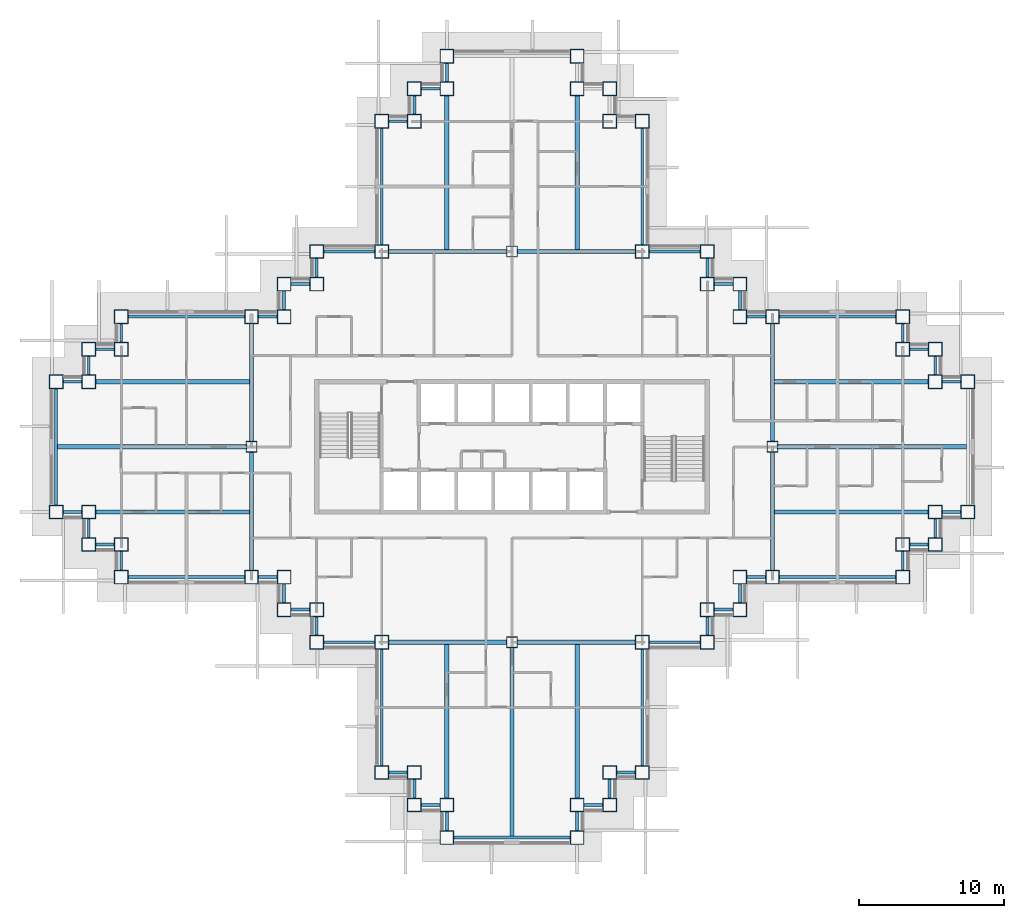
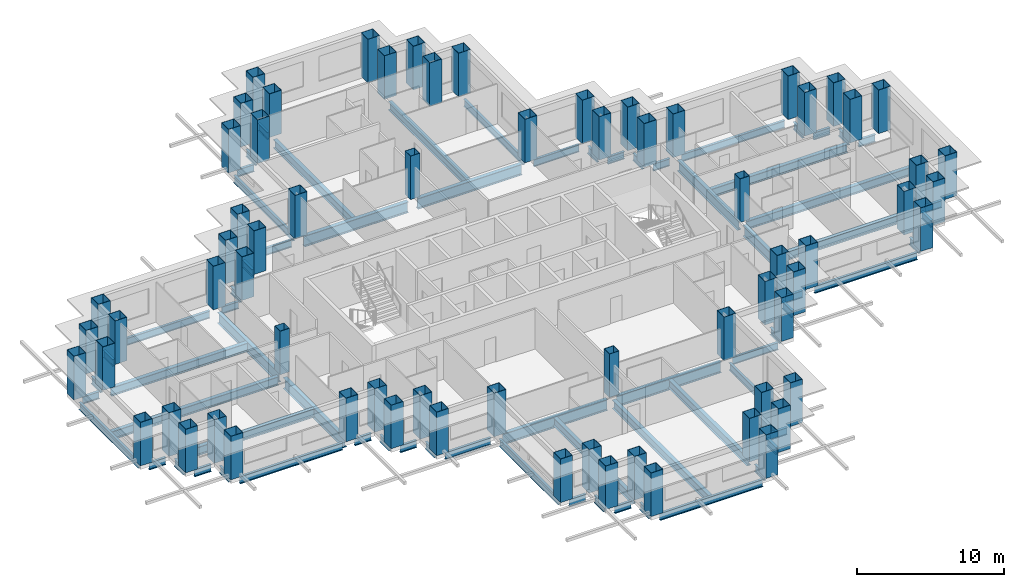
# One storey, part 1 of 15: 77 beams, 68 columns.
"""IFC4 building model written with IfcOpenShell, lengths in metres."""

from ifc_helpers import new_model, si_unit, direction, frame, origin, origin_2d, place, context, subcontext, project, spatial, hollow_rectangle, i_section, extrude, material, material_profile, profile_set, type_object, element, save


model = new_model("IFC4")

# Units and contexts
model_context = context("Model", 3, precision=1e-05, world=origin(), true_north=direction((0.0, 1.0)))
body_context = subcontext(model_context, "Body", "Model", "MODEL_VIEW")
ifc_project = project(units=[si_unit("LENGTHUNIT", "METRE"), si_unit("AREAUNIT", "SQUARE_METRE"), si_unit("VOLUMEUNIT", "CUBIC_METRE"), si_unit("PLANEANGLEUNIT", "RADIAN"), si_unit("MASSUNIT", "GRAM", prefix="KILO")], contexts=[model_context])

# Site, building, storey
site_placement = place(None, origin())
site = spatial("IfcSite", under=ifc_project, at=site_placement, CompositionType="ELEMENT")
building_placement = place(site_placement, origin())
building = spatial("IfcBuilding", under=site, at=building_placement, Name="Caravel Reach Hotel and Residences", CompositionType="ELEMENT")
storey_placement = place(building_placement, frame((0.0, 0.0, 81.60009765625)))
storey = spatial("IfcBuildingStorey", under=building, at=storey_placement, Name="L19", CompositionType="ELEMENT", Elevation=81.60009765625)

# Columns
ifc_material_1 = material(Name="Concrete-filled steel tube Q390B with Concrete C70 infill", Category="concrete")
ifc_material_profile_1 = material_profile(ifc_material_1, hollow_rectangle(XDim=0.75, YDim=0.75, WallThickness=0.02392578125, at=origin_2d()), Name="RHS 750x750x24")
ifc_profile_set_1 = profile_set([ifc_material_profile_1], Name="Concrete-filled steel tube Q390B with Concrete C70 infill")
column_type_1 = type_object("IfcColumnType", Name="CFT 750x750 Q390B C70", PredefinedType="COLUMN", material=ifc_profile_set_1)
for number, where, z_axis, x_axis, name in (
    (1, (31.5, 40.5, 0.0), (0.0, 0.0, 1.0), (1.0, 0.0, 0.0), "C16 column"),
    (2, (31.5, 13.5, 0.0), (0.0, 0.0, 1.0), (1.0, 0.0, 0.0), "C16 column"),
    (3, (13.5, 27.0, 0.0), (0.0, 0.0, 1.0), (1.0, 0.0, 0.0), "C16 column"),
    (4, (49.5, 27.0, 0.0), (0.0, 0.0, 1.0), (1.0, 0.0, 0.0), "C16 column"),
):
    element("IfcColumn", number, at=place(storey_placement, frame(where, z_axis=z_axis, x_axis=x_axis)), inside=storey, type_object=column_type_1, Name=name, PredefinedType="COLUMN", context=body_context, shape_type="SweptSolid", body=[
        extrude(hollow_rectangle(XDim=0.75, YDim=0.75, WallThickness=0.02392578125, at=origin_2d()), origin(), (0.0, 0.0, 1.0), 3.599853515625),
    ])
ifc_material_2 = material(Name="Concrete-filled steel tube Q390B with Concrete C70 infill", Category="concrete")
ifc_material_profile_2 = material_profile(ifc_material_2, hollow_rectangle(XDim=0.949951171875, YDim=0.949951171875, WallThickness=0.030029296875, at=origin_2d()), Name="RHS 950x950x30")
ifc_profile_set_2 = profile_set([ifc_material_profile_2], Name="Concrete-filled steel tube Q390B with Concrete C70 infill")
column_type_2 = type_object("IfcColumnType", Name="CFT 950x950 Q390B C70", PredefinedType="COLUMN", material=ifc_profile_set_2)
for number, where, z_axis, x_axis, name in (
    (5, (22.5, 4.5, 0.0), (0.0, 0.0, 1.0), (1.0, 0.0, 0.0), "C12 column"),
    (6, (24.75, 4.5, 0.0), (0.0, 0.0, 1.0), (1.0, 0.0, 0.0), "C12 column"),
    (7, (24.75, 2.25, 0.0), (0.0, 0.0, 1.0), (1.0, 0.0, 0.0), "C12 column"),
    (8, (27.0, 2.25, 0.0), (0.0, 0.0, 1.0), (1.0, 0.0, 0.0), "C12 column"),
    (9, (27.0, 0.0, 0.0), (0.0, 0.0, 1.0), (1.0, 0.0, 0.0), "C12 column"),
    (10, (36.0, 0.0, 0.0), (0.0, 0.0, 1.0), (1.0, 0.0, 0.0), "C12 column"),
    (11, (36.0, 2.25, 0.0), (0.0, 0.0, 1.0), (1.0, 0.0, 0.0), "C12 column"),
    (12, (38.25, 2.25, 0.0), (0.0, 0.0, 1.0), (1.0, 0.0, 0.0), "C12 column"),
    (13, (38.25, 4.5, 0.0), (0.0, 0.0, 1.0), (1.0, 0.0, 0.0), "C12 column"),
    (14, (40.5, 4.5, 0.0), (0.0, 0.0, 1.0), (1.0, 0.0, 0.0), "C12 column"),
    (15, (40.5, 13.5, 0.0), (0.0, 0.0, 1.0), (1.0, 0.0, 0.0), "C12 column"),
    (16, (45.0, 13.5, 0.0), (0.0, 0.0, 1.0), (1.0, 0.0, 0.0), "C12 column"),
    (17, (45.0, 15.75, 0.0), (0.0, 0.0, 1.0), (1.0, 0.0, 0.0), "C12 column"),
    (18, (47.25, 15.75, 0.0), (0.0, 0.0, 1.0), (1.0, 0.0, 0.0), "C12 column"),
    (19, (47.25, 18.0, 0.0), (0.0, 0.0, 1.0), (1.0, 0.0, 0.0), "C12 column"),
    (20, (49.5, 18.0, 0.0), (0.0, 0.0, 1.0), (1.0, 0.0, 0.0), "C12 column"),
    (21, (58.5, 18.0, 0.0), (0.0, 0.0, 1.0), (1.0, 0.0, 0.0), "C12 column"),
    (22, (58.5, 20.25, 0.0), (0.0, 0.0, 1.0), (1.0, 0.0, 0.0), "C12 column"),
    (23, (60.75, 20.25, 0.0), (0.0, 0.0, 1.0), (1.0, 0.0, 0.0), "C12 column"),
    (24, (60.75, 22.5, 0.0), (0.0, 0.0, 1.0), (1.0, 0.0, 0.0), "C12 column"),
    (25, (63.0, 22.5, 0.0), (0.0, 0.0, 1.0), (1.0, 0.0, 0.0), "C12 column"),
    (26, (63.0, 31.5, 0.0), (0.0, 0.0, 1.0), (1.0, 0.0, 0.0), "C12 column"),
    (27, (60.75, 31.5, 0.0), (0.0, 0.0, 1.0), (1.0, 0.0, 0.0), "C12 column"),
    (28, (60.75, 33.75, 0.0), (0.0, 0.0, 1.0), (1.0, 0.0, 0.0), "C12 column"),
    (29, (58.5, 33.75, 0.0), (0.0, 0.0, 1.0), (1.0, 0.0, 0.0), "C12 column"),
    (30, (58.5, 36.0, 0.0), (0.0, 0.0, 1.0), (1.0, 0.0, 0.0), "C12 column"),
    (31, (49.5, 36.0, 0.0), (0.0, 0.0, 1.0), (1.0, 0.0, 0.0), "C12 column"),
    (32, (47.25, 36.0, 0.0), (0.0, 0.0, 1.0), (1.0, 0.0, 0.0), "C12 column"),
    (33, (47.25, 38.25, 0.0), (0.0, 0.0, 1.0), (1.0, 0.0, 0.0), "C12 column"),
    (34, (45.0, 38.25, 0.0), (0.0, 0.0, 1.0), (1.0, 0.0, 0.0), "C12 column"),
    (35, (45.0, 40.5, 0.0), (0.0, 0.0, 1.0), (1.0, 0.0, 0.0), "C12 column"),
    (36, (40.5, 40.5, 0.0), (0.0, 0.0, 1.0), (1.0, 0.0, 0.0), "C12 column"),
    (37, (40.5, 49.5, 0.0), (0.0, 0.0, 1.0), (1.0, 0.0, 0.0), "C12 column"),
    (38, (38.25, 49.5, 0.0), (0.0, 0.0, 1.0), (1.0, 0.0, 0.0), "C12 column"),
    (39, (38.25, 51.75, 0.0), (0.0, 0.0, 1.0), (1.0, 0.0, 0.0), "C12 column"),
    (40, (36.0, 51.75, 0.0), (0.0, 0.0, 1.0), (1.0, 0.0, 0.0), "C12 column"),
    (41, (36.0, 54.0, 0.0), (0.0, 0.0, 1.0), (1.0, 0.0, 0.0), "C12 column"),
    (42, (27.0, 54.0, 0.0), (0.0, 0.0, 1.0), (1.0, 0.0, 0.0), "C12 column"),
    (43, (27.0, 51.75, 0.0), (0.0, 0.0, 1.0), (1.0, 0.0, 0.0), "C12 column"),
    (44, (24.75, 51.75, 0.0), (0.0, 0.0, 1.0), (1.0, 0.0, 0.0), "C12 column"),
    (45, (24.75, 49.5, 0.0), (0.0, 0.0, 1.0), (1.0, 0.0, 0.0), "C12 column"),
    (46, (22.5, 49.5, 0.0), (0.0, 0.0, 1.0), (1.0, 0.0, 0.0), "C12 column"),
    (47, (22.5, 40.5, 0.0), (0.0, 0.0, 1.0), (1.0, 0.0, 0.0), "C12 column"),
    (48, (18.0, 40.5, 0.0), (0.0, 0.0, 1.0), (1.0, 0.0, 0.0), "C12 column"),
    (49, (18.0, 38.25, 0.0), (0.0, 0.0, 1.0), (1.0, 0.0, 0.0), "C12 column"),
    (50, (15.75, 38.25, 0.0), (0.0, 0.0, 1.0), (1.0, 0.0, 0.0), "C12 column"),
    (51, (15.75, 36.0, 0.0), (0.0, 0.0, 1.0), (1.0, 0.0, 0.0), "C12 column"),
    (52, (13.5, 36.0, 0.0), (0.0, 0.0, 1.0), (1.0, 0.0, 0.0), "C12 column"),
    (53, (4.5, 36.0, 0.0), (0.0, 0.0, 1.0), (1.0, 0.0, 0.0), "C12 column"),
    (54, (4.5, 33.75, 0.0), (0.0, 0.0, 1.0), (1.0, 0.0, 0.0), "C12 column"),
    (55, (2.25, 33.75, 0.0), (0.0, 0.0, 1.0), (1.0, 0.0, 0.0), "C12 column"),
    (56, (2.25, 31.5, 0.0), (0.0, 0.0, 1.0), (1.0, 0.0, 0.0), "C12 column"),
    (57, (0.0, 31.5, 0.0), (0.0, 0.0, 1.0), (1.0, 0.0, 0.0), "C12 column"),
    (58, (0.0, 22.5, 0.0), (0.0, 0.0, 1.0), (1.0, 0.0, 0.0), "C12 column"),
    (59, (2.25, 22.5, 0.0), (0.0, 0.0, 1.0), (1.0, 0.0, 0.0), "C12 column"),
    (60, (2.25, 20.25, 0.0), (0.0, 0.0, 1.0), (1.0, 0.0, 0.0), "C12 column"),
    (61, (4.5, 20.25, 0.0), (0.0, 0.0, 1.0), (1.0, 0.0, 0.0), "C12 column"),
    (62, (4.5, 18.0, 0.0), (0.0, 0.0, 1.0), (1.0, 0.0, 0.0), "C12 column"),
    (63, (13.5, 18.0, 0.0), (0.0, 0.0, 1.0), (1.0, 0.0, 0.0), "C12 column"),
    (64, (15.75, 18.0, 0.0), (0.0, 0.0, 1.0), (1.0, 0.0, 0.0), "C12 column"),
    (65, (15.75, 15.75, 0.0), (0.0, 0.0, 1.0), (1.0, 0.0, 0.0), "C12 column"),
    (66, (18.0, 15.75, 0.0), (0.0, 0.0, 1.0), (1.0, 0.0, 0.0), "C12 column"),
    (67, (18.0, 13.5, 0.0), (0.0, 0.0, 1.0), (1.0, 0.0, 0.0), "C12 column"),
    (68, (22.5, 13.5, 0.0), (0.0, 0.0, 1.0), (1.0, 0.0, 0.0), "C12 column"),
):
    element("IfcColumn", number, at=place(storey_placement, frame(where, z_axis=z_axis, x_axis=x_axis)), inside=storey, type_object=column_type_2, Name=name, PredefinedType="COLUMN", context=body_context, shape_type="SweptSolid", body=[
        extrude(hollow_rectangle(XDim=0.949951171875, YDim=0.949951171875, WallThickness=0.030029296875, at=origin_2d()), origin(), (0.0, 0.0, 1.0), 3.599853515625),
    ])

# Beams
ifc_material_3 = material(Name="Structural steel Q355B", Category="steel")
ifc_material_profile_3 = material_profile(ifc_material_3, i_section(OverallWidth=0.300048828125, OverallDepth=0.699951171875, WebThickness=0.012939453125, FlangeThickness=0.02392578125, FilletRadius=0.01806640625, at=origin_2d()), Name="HN 700x300x13x24")
ifc_profile_set_3 = profile_set([ifc_material_profile_3], Name="Structural steel Q355B")
beam_type_1 = type_object("IfcBeamType", Name="Beam HN 700x300x13x24", PredefinedType="BEAM", material=ifc_profile_set_3)
for number, where, z_axis, x_axis, name in (
    (69, (27.0, 40.60009765625, -0.650146484375), (0.0, 1.0, 0.0), (-1.0, 0.0, 0.0), "B2 HN 700x300x13x24"),
    (70, (36.0, 40.60009765625, -0.650146484375), (0.0, 1.0, 0.0), (-1.0, 0.0, 0.0), "B2 HN 700x300x13x24"),
    (71, (27.0, 13.39990234375, -0.650146484375), (0.0, -1.0, 0.0), (1.0, 0.0, 0.0), "B2 HN 700x300x13x24"),
):
    element("IfcBeam", number, at=place(storey_placement, frame(where, z_axis=z_axis, x_axis=x_axis)), inside=storey, type_object=beam_type_1, Name=name, PredefinedType="BEAM", context=body_context, shape_type="SweptSolid", body=[
        extrude(i_section(OverallWidth=0.300048828125, OverallDepth=0.699951171875, WebThickness=0.012939453125, FlangeThickness=0.02392578125, FilletRadius=0.01806640625, at=origin_2d()), origin(), (0.0, 0.0, 1.0), 10.724853515625),
    ])
beam_1_placement = place(storey_placement, frame((31.5, 13.175048828125, -0.650146484375), z_axis=(0.0, -1.0, 0.0), x_axis=(1.0, 0.0, 0.0)))
element("IfcBeam", 72, at=beam_1_placement, inside=storey, type_object=beam_type_1, Name="B2 HN 700x300x13x24", PredefinedType="BEAM", context=body_context, shape_type="SweptSolid", body=[
    extrude(i_section(OverallWidth=0.300048828125, OverallDepth=0.699951171875, WebThickness=0.012939453125, FlangeThickness=0.02392578125, FilletRadius=0.01806640625, at=origin_2d()), origin(), (0.0, 0.0, 1.0), 13.074951171875),
])
for number, where, z_axis, x_axis, name in (
    (73, (36.0, 13.39990234375, -0.650146484375), (0.0, -1.0, 0.0), (1.0, 0.0, 0.0), "B2 HN 700x300x13x24"),
    (74, (49.60009765625, 22.5, -0.650146484375), (1.0, 0.0, 0.0), (0.0, 1.0, 0.0), "B2 HN 700x300x13x24"),
):
    element("IfcBeam", number, at=place(storey_placement, frame(where, z_axis=z_axis, x_axis=x_axis)), inside=storey, type_object=beam_type_1, Name=name, PredefinedType="BEAM", context=body_context, shape_type="SweptSolid", body=[
        extrude(i_section(OverallWidth=0.300048828125, OverallDepth=0.699951171875, WebThickness=0.012939453125, FlangeThickness=0.02392578125, FilletRadius=0.01806640625, at=origin_2d()), origin(), (0.0, 0.0, 1.0), 10.724853515625),
    ])
beam_2_placement = place(storey_placement, frame((49.824951171875, 27.0, -0.650146484375), z_axis=(1.0, 0.0, 0.0), x_axis=(0.0, 1.0, 0.0)))
element("IfcBeam", 75, at=beam_2_placement, inside=storey, type_object=beam_type_1, Name="B2 HN 700x300x13x24", PredefinedType="BEAM", context=body_context, shape_type="SweptSolid", body=[
    extrude(i_section(OverallWidth=0.300048828125, OverallDepth=0.699951171875, WebThickness=0.012939453125, FlangeThickness=0.02392578125, FilletRadius=0.01806640625, at=origin_2d()), origin(), (0.0, 0.0, 1.0), 13.074951171875),
])
for number, where, z_axis, x_axis, name in (
    (76, (49.60009765625, 31.5, -0.650146484375), (1.0, 0.0, 0.0), (0.0, 1.0, 0.0), "B2 HN 700x300x13x24"),
    (77, (13.39990234375, 22.5, -0.650146484375), (-1.0, 0.0, 0.0), (0.0, -1.0, 0.0), "B2 HN 700x300x13x24"),
):
    element("IfcBeam", number, at=place(storey_placement, frame(where, z_axis=z_axis, x_axis=x_axis)), inside=storey, type_object=beam_type_1, Name=name, PredefinedType="BEAM", context=body_context, shape_type="SweptSolid", body=[
        extrude(i_section(OverallWidth=0.300048828125, OverallDepth=0.699951171875, WebThickness=0.012939453125, FlangeThickness=0.02392578125, FilletRadius=0.01806640625, at=origin_2d()), origin(), (0.0, 0.0, 1.0), 10.724853515625),
    ])
beam_3_placement = place(storey_placement, frame((13.175048828125, 27.0, -0.650146484375), z_axis=(-1.0, 0.0, 0.0), x_axis=(0.0, -1.0, 0.0)))
element("IfcBeam", 78, at=beam_3_placement, inside=storey, type_object=beam_type_1, Name="B2 HN 700x300x13x24", PredefinedType="BEAM", context=body_context, shape_type="SweptSolid", body=[
    extrude(i_section(OverallWidth=0.300048828125, OverallDepth=0.699951171875, WebThickness=0.012939453125, FlangeThickness=0.02392578125, FilletRadius=0.01806640625, at=origin_2d()), origin(), (0.0, 0.0, 1.0), 13.074951171875),
])
beam_4_placement = place(storey_placement, frame((13.39990234375, 31.5, -0.650146484375), z_axis=(-1.0, 0.0, 0.0), x_axis=(0.0, -1.0, 0.0)))
element("IfcBeam", 79, at=beam_4_placement, inside=storey, type_object=beam_type_1, Name="B2 HN 700x300x13x24", PredefinedType="BEAM", context=body_context, shape_type="SweptSolid", body=[
    extrude(i_section(OverallWidth=0.300048828125, OverallDepth=0.699951171875, WebThickness=0.012939453125, FlangeThickness=0.02392578125, FilletRadius=0.01806640625, at=origin_2d()), origin(), (0.0, 0.0, 1.0), 10.724853515625),
])
ifc_material_4 = material(Name="Structural steel Q355B", Category="steel")
ifc_material_profile_4 = material_profile(ifc_material_4, i_section(OverallWidth=0.300048828125, OverallDepth=0.89990234375, WebThickness=0.01611328125, FlangeThickness=0.028076171875, FilletRadius=0.01806640625, at=origin_2d()), Name="HN 900x300x16x28")
ifc_profile_set_4 = profile_set([ifc_material_profile_4], Name="Structural steel Q355B")
beam_type_2 = type_object("IfcBeamType", Name="Beam HN 900x300x16x28", PredefinedType="BEAM", material=ifc_profile_set_4)
for number, where, z_axis, x_axis, name in (
    (80, (22.97509765625, 40.5, -0.75), (1.0, 0.0, 0.0), (0.0, 1.0, 0.0), "B3 HN 900x300x16x28"),
    (81, (31.875, 40.5, -0.75), (1.0, 0.0, 0.0), (0.0, 1.0, 0.0), "B3 HN 900x300x16x28"),
    (82, (22.97509765625, 13.5, -0.75), (1.0, 0.0, 0.0), (0.0, 1.0, 0.0), "B3 HN 900x300x16x28"),
    (83, (31.875, 13.5, -0.75), (1.0, 0.0, 0.0), (0.0, 1.0, 0.0), "B3 HN 900x300x16x28"),
    (84, (13.5, 18.47509765625, -0.75), (0.0, 1.0, 0.0), (-1.0, 0.0, 0.0), "B3 HN 900x300x16x28"),
    (85, (13.5, 27.375, -0.75), (0.0, 1.0, 0.0), (-1.0, 0.0, 0.0), "B3 HN 900x300x16x28"),
    (86, (49.5, 18.47509765625, -0.75), (0.0, 1.0, 0.0), (-1.0, 0.0, 0.0), "B3 HN 900x300x16x28"),
    (87, (49.5, 27.375, -0.75), (0.0, 1.0, 0.0), (-1.0, 0.0, 0.0), "B3 HN 900x300x16x28"),
):
    element("IfcBeam", number, at=place(storey_placement, frame(where, z_axis=z_axis, x_axis=x_axis)), inside=storey, type_object=beam_type_2, Name=name, PredefinedType="BEAM", context=body_context, shape_type="SweptSolid", body=[
        extrude(i_section(OverallWidth=0.300048828125, OverallDepth=0.89990234375, WebThickness=0.01611328125, FlangeThickness=0.028076171875, FilletRadius=0.01806640625, at=origin_2d()), origin(), (0.0, 0.0, 1.0), 8.14990234375),
    ])
ifc_material_5 = material(Name="Structural steel Q355B", Category="steel")
ifc_material_profile_5 = material_profile(ifc_material_5, i_section(OverallWidth=0.199951171875, OverallDepth=0.60009765625, WebThickness=0.010986328125, FlangeThickness=0.01708984375, FilletRadius=0.012939453125, at=origin_2d()), Name="HN 600x200x11x17")
ifc_profile_set_5 = profile_set([ifc_material_profile_5], Name="Structural steel Q355B")
beam_type_3 = type_object("IfcBeamType", Name="Spandrel beam HN 600x200x11x17", PredefinedType="SPANDREL", material=ifc_profile_set_5)
for number, where, z_axis, x_axis, name in (
    (88, (22.97509765625, 4.5, -0.60009765625), (1.0, 0.0, 0.0), (0.0, 1.0, 0.0), "SP1 HN 600x200x11x17"),
    (89, (24.75, 4.02490234375, -0.60009765625), (0.0, -1.0, 0.0), (1.0, 0.0, 0.0), "SP1 HN 600x200x11x17"),
    (90, (25.22509765625, 2.25, -0.60009765625), (1.0, 0.0, 0.0), (0.0, 1.0, 0.0), "SP1 HN 600x200x11x17"),
    (91, (27.0, 1.77490234375, -0.60009765625), (0.0, -1.0, 0.0), (1.0, 0.0, 0.0), "SP1 HN 600x200x11x17"),
):
    element("IfcBeam", number, at=place(storey_placement, frame(where, z_axis=z_axis, x_axis=x_axis)), inside=storey, type_object=beam_type_3, Name=name, PredefinedType="SPANDREL", context=body_context, shape_type="SweptSolid", body=[
        extrude(i_section(OverallWidth=0.199951171875, OverallDepth=0.60009765625, WebThickness=0.010986328125, FlangeThickness=0.01708984375, FilletRadius=0.012939453125, at=origin_2d()), origin(), (0.0, 0.0, 1.0), 1.2998046875),
    ])
beam_5_placement = place(storey_placement, frame((27.47509765625, 0.0, -0.60009765625), z_axis=(1.0, 0.0, 0.0), x_axis=(0.0, 1.0, 0.0)))
element("IfcBeam", 92, at=beam_5_placement, inside=storey, type_object=beam_type_3, Name="SP1 HN 600x200x11x17", PredefinedType="SPANDREL", context=body_context, shape_type="SweptSolid", body=[
    extrude(i_section(OverallWidth=0.199951171875, OverallDepth=0.60009765625, WebThickness=0.010986328125, FlangeThickness=0.01708984375, FilletRadius=0.012939453125, at=origin_2d()), origin(), (0.0, 0.0, 1.0), 8.0498046875),
])
for number, where, z_axis, x_axis, name in (
    (93, (36.0, 0.47509765625, -0.60009765625), (0.0, 1.0, 0.0), (-1.0, 0.0, 0.0), "SP1 HN 600x200x11x17"),
    (94, (36.47509765625, 2.25, -0.60009765625), (1.0, 0.0, 0.0), (0.0, 1.0, 0.0), "SP1 HN 600x200x11x17"),
    (95, (38.25, 2.72509765625, -0.60009765625), (0.0, 1.0, 0.0), (-1.0, 0.0, 0.0), "SP1 HN 600x200x11x17"),
    (96, (38.72509765625, 4.5, -0.60009765625), (1.0, 0.0, 0.0), (0.0, 1.0, 0.0), "SP1 HN 600x200x11x17"),
):
    element("IfcBeam", number, at=place(storey_placement, frame(where, z_axis=z_axis, x_axis=x_axis)), inside=storey, type_object=beam_type_3, Name=name, PredefinedType="SPANDREL", context=body_context, shape_type="SweptSolid", body=[
        extrude(i_section(OverallWidth=0.199951171875, OverallDepth=0.60009765625, WebThickness=0.010986328125, FlangeThickness=0.01708984375, FilletRadius=0.012939453125, at=origin_2d()), origin(), (0.0, 0.0, 1.0), 1.2998046875),
    ])
beam_6_placement = place(storey_placement, frame((40.5, 4.97509765625, -0.60009765625), z_axis=(0.0, 1.0, 0.0), x_axis=(-1.0, 0.0, 0.0)))
element("IfcBeam", 97, at=beam_6_placement, inside=storey, type_object=beam_type_3, Name="SP1 HN 600x200x11x17", PredefinedType="SPANDREL", context=body_context, shape_type="SweptSolid", body=[
    extrude(i_section(OverallWidth=0.199951171875, OverallDepth=0.60009765625, WebThickness=0.010986328125, FlangeThickness=0.01708984375, FilletRadius=0.012939453125, at=origin_2d()), origin(), (0.0, 0.0, 1.0), 8.0498046875),
])
beam_7_placement = place(storey_placement, frame((40.97509765625, 13.5, -0.60009765625), z_axis=(1.0, 0.0, 0.0), x_axis=(0.0, 1.0, 0.0)))
element("IfcBeam", 98, at=beam_7_placement, inside=storey, type_object=beam_type_3, Name="SP1 HN 600x200x11x17", PredefinedType="SPANDREL", context=body_context, shape_type="SweptSolid", body=[
    extrude(i_section(OverallWidth=0.199951171875, OverallDepth=0.60009765625, WebThickness=0.010986328125, FlangeThickness=0.01708984375, FilletRadius=0.012939453125, at=origin_2d()), origin(), (0.0, 0.0, 1.0), 3.5498046875),
])
for number, where, z_axis, x_axis, name in (
    (99, (45.0, 13.97509765625, -0.60009765625), (0.0, 1.0, 0.0), (-1.0, 0.0, 0.0), "SP1 HN 600x200x11x17"),
    (100, (45.47509765625, 15.75, -0.60009765625), (1.0, 0.0, 0.0), (0.0, 1.0, 0.0), "SP1 HN 600x200x11x17"),
    (101, (47.25, 16.22509765625, -0.60009765625), (0.0, 1.0, 0.0), (-1.0, 0.0, 0.0), "SP1 HN 600x200x11x17"),
    (102, (47.72509765625, 18.0, -0.60009765625), (1.0, 0.0, 0.0), (0.0, 1.0, 0.0), "SP1 HN 600x200x11x17"),
):
    element("IfcBeam", number, at=place(storey_placement, frame(where, z_axis=z_axis, x_axis=x_axis)), inside=storey, type_object=beam_type_3, Name=name, PredefinedType="SPANDREL", context=body_context, shape_type="SweptSolid", body=[
        extrude(i_section(OverallWidth=0.199951171875, OverallDepth=0.60009765625, WebThickness=0.010986328125, FlangeThickness=0.01708984375, FilletRadius=0.012939453125, at=origin_2d()), origin(), (0.0, 0.0, 1.0), 1.2998046875),
    ])
beam_8_placement = place(storey_placement, frame((49.97509765625, 18.0, -0.60009765625), z_axis=(1.0, 0.0, 0.0), x_axis=(0.0, 1.0, 0.0)))
element("IfcBeam", 103, at=beam_8_placement, inside=storey, type_object=beam_type_3, Name="SP1 HN 600x200x11x17", PredefinedType="SPANDREL", context=body_context, shape_type="SweptSolid", body=[
    extrude(i_section(OverallWidth=0.199951171875, OverallDepth=0.60009765625, WebThickness=0.010986328125, FlangeThickness=0.01708984375, FilletRadius=0.012939453125, at=origin_2d()), origin(), (0.0, 0.0, 1.0), 8.0498046875),
])
for number, where, z_axis, x_axis, name in (
    (104, (58.5, 18.47509765625, -0.60009765625), (0.0, 1.0, 0.0), (-1.0, 0.0, 0.0), "SP1 HN 600x200x11x17"),
    (105, (58.97509765625, 20.25, -0.60009765625), (1.0, 0.0, 0.0), (0.0, 1.0, 0.0), "SP1 HN 600x200x11x17"),
    (106, (60.75, 20.72509765625, -0.60009765625), (0.0, 1.0, 0.0), (-1.0, 0.0, 0.0), "SP1 HN 600x200x11x17"),
    (107, (61.22509765625, 22.5, -0.60009765625), (1.0, 0.0, 0.0), (0.0, 1.0, 0.0), "SP1 HN 600x200x11x17"),
    (108, (62.52490234375, 31.5, -0.60009765625), (-1.0, 0.0, 0.0), (0.0, -1.0, 0.0), "SP1 HN 600x200x11x17"),
    (109, (60.75, 31.97509765625, -0.60009765625), (0.0, 1.0, 0.0), (-1.0, 0.0, 0.0), "SP1 HN 600x200x11x17"),
    (110, (60.27490234375, 33.75, -0.60009765625), (-1.0, 0.0, 0.0), (0.0, -1.0, 0.0), "SP1 HN 600x200x11x17"),
    (111, (58.5, 34.22509765625, -0.60009765625), (0.0, 1.0, 0.0), (-1.0, 0.0, 0.0), "SP1 HN 600x200x11x17"),
):
    element("IfcBeam", number, at=place(storey_placement, frame(where, z_axis=z_axis, x_axis=x_axis)), inside=storey, type_object=beam_type_3, Name=name, PredefinedType="SPANDREL", context=body_context, shape_type="SweptSolid", body=[
        extrude(i_section(OverallWidth=0.199951171875, OverallDepth=0.60009765625, WebThickness=0.010986328125, FlangeThickness=0.01708984375, FilletRadius=0.012939453125, at=origin_2d()), origin(), (0.0, 0.0, 1.0), 1.2998046875),
    ])
beam_9_placement = place(storey_placement, frame((58.02490234375, 36.0, -0.60009765625), z_axis=(-1.0, 0.0, 0.0), x_axis=(0.0, -1.0, 0.0)))
element("IfcBeam", 112, at=beam_9_placement, inside=storey, type_object=beam_type_3, Name="SP1 HN 600x200x11x17", PredefinedType="SPANDREL", context=body_context, shape_type="SweptSolid", body=[
    extrude(i_section(OverallWidth=0.199951171875, OverallDepth=0.60009765625, WebThickness=0.010986328125, FlangeThickness=0.01708984375, FilletRadius=0.012939453125, at=origin_2d()), origin(), (0.0, 0.0, 1.0), 8.0498046875),
])
for number, where, z_axis, x_axis, name in (
    (113, (49.02490234375, 36.0, -0.60009765625), (-1.0, 0.0, 0.0), (0.0, -1.0, 0.0), "SP1 HN 600x200x11x17"),
    (114, (47.25, 36.47509765625, -0.60009765625), (0.0, 1.0, 0.0), (-1.0, 0.0, 0.0), "SP1 HN 600x200x11x17"),
    (115, (46.77490234375, 38.25, -0.60009765625), (-1.0, 0.0, 0.0), (0.0, -1.0, 0.0), "SP1 HN 600x200x11x17"),
    (116, (45.0, 38.72509765625, -0.60009765625), (0.0, 1.0, 0.0), (-1.0, 0.0, 0.0), "SP1 HN 600x200x11x17"),
):
    element("IfcBeam", number, at=place(storey_placement, frame(where, z_axis=z_axis, x_axis=x_axis)), inside=storey, type_object=beam_type_3, Name=name, PredefinedType="SPANDREL", context=body_context, shape_type="SweptSolid", body=[
        extrude(i_section(OverallWidth=0.199951171875, OverallDepth=0.60009765625, WebThickness=0.010986328125, FlangeThickness=0.01708984375, FilletRadius=0.012939453125, at=origin_2d()), origin(), (0.0, 0.0, 1.0), 1.2998046875),
    ])
beam_10_placement = place(storey_placement, frame((44.52490234375, 40.5, -0.60009765625), z_axis=(-1.0, 0.0, 0.0), x_axis=(0.0, -1.0, 0.0)))
element("IfcBeam", 117, at=beam_10_placement, inside=storey, type_object=beam_type_3, Name="SP1 HN 600x200x11x17", PredefinedType="SPANDREL", context=body_context, shape_type="SweptSolid", body=[
    extrude(i_section(OverallWidth=0.199951171875, OverallDepth=0.60009765625, WebThickness=0.010986328125, FlangeThickness=0.01708984375, FilletRadius=0.012939453125, at=origin_2d()), origin(), (0.0, 0.0, 1.0), 3.5498046875),
])
beam_11_placement = place(storey_placement, frame((40.5, 40.97509765625, -0.60009765625), z_axis=(0.0, 1.0, 0.0), x_axis=(-1.0, 0.0, 0.0)))
element("IfcBeam", 118, at=beam_11_placement, inside=storey, type_object=beam_type_3, Name="SP1 HN 600x200x11x17", PredefinedType="SPANDREL", context=body_context, shape_type="SweptSolid", body=[
    extrude(i_section(OverallWidth=0.199951171875, OverallDepth=0.60009765625, WebThickness=0.010986328125, FlangeThickness=0.01708984375, FilletRadius=0.012939453125, at=origin_2d()), origin(), (0.0, 0.0, 1.0), 8.0498046875),
])
for number, where, z_axis, x_axis, name in (
    (119, (27.0, 53.52490234375, -0.60009765625), (0.0, -1.0, 0.0), (1.0, 0.0, 0.0), "SP1 HN 600x200x11x17"),
    (120, (26.52490234375, 51.75, -0.60009765625), (-1.0, 0.0, 0.0), (0.0, -1.0, 0.0), "SP1 HN 600x200x11x17"),
    (121, (24.75, 51.27490234375, -0.60009765625), (0.0, -1.0, 0.0), (1.0, 0.0, 0.0), "SP1 HN 600x200x11x17"),
    (122, (24.27490234375, 49.5, -0.60009765625), (-1.0, 0.0, 0.0), (0.0, -1.0, 0.0), "SP1 HN 600x200x11x17"),
):
    element("IfcBeam", number, at=place(storey_placement, frame(where, z_axis=z_axis, x_axis=x_axis)), inside=storey, type_object=beam_type_3, Name=name, PredefinedType="SPANDREL", context=body_context, shape_type="SweptSolid", body=[
        extrude(i_section(OverallWidth=0.199951171875, OverallDepth=0.60009765625, WebThickness=0.010986328125, FlangeThickness=0.01708984375, FilletRadius=0.012939453125, at=origin_2d()), origin(), (0.0, 0.0, 1.0), 1.2998046875),
    ])
beam_12_placement = place(storey_placement, frame((22.5, 49.02490234375, -0.60009765625), z_axis=(0.0, -1.0, 0.0), x_axis=(1.0, 0.0, 0.0)))
element("IfcBeam", 123, at=beam_12_placement, inside=storey, type_object=beam_type_3, Name="SP1 HN 600x200x11x17", PredefinedType="SPANDREL", context=body_context, shape_type="SweptSolid", body=[
    extrude(i_section(OverallWidth=0.199951171875, OverallDepth=0.60009765625, WebThickness=0.010986328125, FlangeThickness=0.01708984375, FilletRadius=0.012939453125, at=origin_2d()), origin(), (0.0, 0.0, 1.0), 8.0498046875),
])
beam_13_placement = place(storey_placement, frame((22.02490234375, 40.5, -0.60009765625), z_axis=(-1.0, 0.0, 0.0), x_axis=(0.0, -1.0, 0.0)))
element("IfcBeam", 124, at=beam_13_placement, inside=storey, type_object=beam_type_3, Name="SP1 HN 600x200x11x17", PredefinedType="SPANDREL", context=body_context, shape_type="SweptSolid", body=[
    extrude(i_section(OverallWidth=0.199951171875, OverallDepth=0.60009765625, WebThickness=0.010986328125, FlangeThickness=0.01708984375, FilletRadius=0.012939453125, at=origin_2d()), origin(), (0.0, 0.0, 1.0), 3.5498046875),
])
for number, where, z_axis, x_axis, name in (
    (125, (18.0, 40.02490234375, -0.60009765625), (0.0, -1.0, 0.0), (1.0, 0.0, 0.0), "SP1 HN 600x200x11x17"),
    (126, (17.52490234375, 38.25, -0.60009765625), (-1.0, 0.0, 0.0), (0.0, -1.0, 0.0), "SP1 HN 600x200x11x17"),
    (127, (15.75, 37.77490234375, -0.60009765625), (0.0, -1.0, 0.0), (1.0, 0.0, 0.0), "SP1 HN 600x200x11x17"),
    (128, (15.27490234375, 36.0, -0.60009765625), (-1.0, 0.0, 0.0), (0.0, -1.0, 0.0), "SP1 HN 600x200x11x17"),
):
    element("IfcBeam", number, at=place(storey_placement, frame(where, z_axis=z_axis, x_axis=x_axis)), inside=storey, type_object=beam_type_3, Name=name, PredefinedType="SPANDREL", context=body_context, shape_type="SweptSolid", body=[
        extrude(i_section(OverallWidth=0.199951171875, OverallDepth=0.60009765625, WebThickness=0.010986328125, FlangeThickness=0.01708984375, FilletRadius=0.012939453125, at=origin_2d()), origin(), (0.0, 0.0, 1.0), 1.2998046875),
    ])
beam_14_placement = place(storey_placement, frame((13.02490234375, 36.0, -0.60009765625), z_axis=(-1.0, 0.0, 0.0), x_axis=(0.0, -1.0, 0.0)))
element("IfcBeam", 129, at=beam_14_placement, inside=storey, type_object=beam_type_3, Name="SP1 HN 600x200x11x17", PredefinedType="SPANDREL", context=body_context, shape_type="SweptSolid", body=[
    extrude(i_section(OverallWidth=0.199951171875, OverallDepth=0.60009765625, WebThickness=0.010986328125, FlangeThickness=0.01708984375, FilletRadius=0.012939453125, at=origin_2d()), origin(), (0.0, 0.0, 1.0), 8.0498046875),
])
for number, where, z_axis, x_axis, name in (
    (130, (4.5, 35.52490234375, -0.60009765625), (0.0, -1.0, 0.0), (1.0, 0.0, 0.0), "SP1 HN 600x200x11x17"),
    (131, (4.02490234375, 33.75, -0.60009765625), (-1.0, 0.0, 0.0), (0.0, -1.0, 0.0), "SP1 HN 600x200x11x17"),
    (132, (2.25, 33.27490234375, -0.60009765625), (0.0, -1.0, 0.0), (1.0, 0.0, 0.0), "SP1 HN 600x200x11x17"),
    (133, (1.77490234375, 31.5, -0.60009765625), (-1.0, 0.0, 0.0), (0.0, -1.0, 0.0), "SP1 HN 600x200x11x17"),
):
    element("IfcBeam", number, at=place(storey_placement, frame(where, z_axis=z_axis, x_axis=x_axis)), inside=storey, type_object=beam_type_3, Name=name, PredefinedType="SPANDREL", context=body_context, shape_type="SweptSolid", body=[
        extrude(i_section(OverallWidth=0.199951171875, OverallDepth=0.60009765625, WebThickness=0.010986328125, FlangeThickness=0.01708984375, FilletRadius=0.012939453125, at=origin_2d()), origin(), (0.0, 0.0, 1.0), 1.2998046875),
    ])
beam_15_placement = place(storey_placement, frame((0.0, 31.02490234375, -0.60009765625), z_axis=(0.0, -1.0, 0.0), x_axis=(1.0, 0.0, 0.0)))
element("IfcBeam", 134, at=beam_15_placement, inside=storey, type_object=beam_type_3, Name="SP1 HN 600x200x11x17", PredefinedType="SPANDREL", context=body_context, shape_type="SweptSolid", body=[
    extrude(i_section(OverallWidth=0.199951171875, OverallDepth=0.60009765625, WebThickness=0.010986328125, FlangeThickness=0.01708984375, FilletRadius=0.012939453125, at=origin_2d()), origin(), (0.0, 0.0, 1.0), 8.0498046875),
])
for number, where, z_axis, x_axis, name in (
    (135, (0.47509765625, 22.5, -0.60009765625), (1.0, 0.0, 0.0), (0.0, 1.0, 0.0), "SP1 HN 600x200x11x17"),
    (136, (2.25, 22.02490234375, -0.60009765625), (0.0, -1.0, 0.0), (1.0, 0.0, 0.0), "SP1 HN 600x200x11x17"),
    (137, (2.72509765625, 20.25, -0.60009765625), (1.0, 0.0, 0.0), (0.0, 1.0, 0.0), "SP1 HN 600x200x11x17"),
    (138, (4.5, 19.77490234375, -0.60009765625), (0.0, -1.0, 0.0), (1.0, 0.0, 0.0), "SP1 HN 600x200x11x17"),
):
    element("IfcBeam", number, at=place(storey_placement, frame(where, z_axis=z_axis, x_axis=x_axis)), inside=storey, type_object=beam_type_3, Name=name, PredefinedType="SPANDREL", context=body_context, shape_type="SweptSolid", body=[
        extrude(i_section(OverallWidth=0.199951171875, OverallDepth=0.60009765625, WebThickness=0.010986328125, FlangeThickness=0.01708984375, FilletRadius=0.012939453125, at=origin_2d()), origin(), (0.0, 0.0, 1.0), 1.2998046875),
    ])
beam_16_placement = place(storey_placement, frame((4.97509765625, 18.0, -0.60009765625), z_axis=(1.0, 0.0, 0.0), x_axis=(0.0, 1.0, 0.0)))
element("IfcBeam", 139, at=beam_16_placement, inside=storey, type_object=beam_type_3, Name="SP1 HN 600x200x11x17", PredefinedType="SPANDREL", context=body_context, shape_type="SweptSolid", body=[
    extrude(i_section(OverallWidth=0.199951171875, OverallDepth=0.60009765625, WebThickness=0.010986328125, FlangeThickness=0.01708984375, FilletRadius=0.012939453125, at=origin_2d()), origin(), (0.0, 0.0, 1.0), 8.0498046875),
])
for number, where, z_axis, x_axis, name in (
    (140, (13.97509765625, 18.0, -0.60009765625), (1.0, 0.0, 0.0), (0.0, 1.0, 0.0), "SP1 HN 600x200x11x17"),
    (141, (15.75, 17.52490234375, -0.60009765625), (0.0, -1.0, 0.0), (1.0, 0.0, 0.0), "SP1 HN 600x200x11x17"),
    (142, (16.22509765625, 15.75, -0.60009765625), (1.0, 0.0, 0.0), (0.0, 1.0, 0.0), "SP1 HN 600x200x11x17"),
    (143, (18.0, 15.27490234375, -0.60009765625), (0.0, -1.0, 0.0), (1.0, 0.0, 0.0), "SP1 HN 600x200x11x17"),
):
    element("IfcBeam", number, at=place(storey_placement, frame(where, z_axis=z_axis, x_axis=x_axis)), inside=storey, type_object=beam_type_3, Name=name, PredefinedType="SPANDREL", context=body_context, shape_type="SweptSolid", body=[
        extrude(i_section(OverallWidth=0.199951171875, OverallDepth=0.60009765625, WebThickness=0.010986328125, FlangeThickness=0.01708984375, FilletRadius=0.012939453125, at=origin_2d()), origin(), (0.0, 0.0, 1.0), 1.2998046875),
    ])
beam_17_placement = place(storey_placement, frame((18.47509765625, 13.5, -0.60009765625), z_axis=(1.0, 0.0, 0.0), x_axis=(0.0, 1.0, 0.0)))
element("IfcBeam", 144, at=beam_17_placement, inside=storey, type_object=beam_type_3, Name="SP1 HN 600x200x11x17", PredefinedType="SPANDREL", context=body_context, shape_type="SweptSolid", body=[
    extrude(i_section(OverallWidth=0.199951171875, OverallDepth=0.60009765625, WebThickness=0.010986328125, FlangeThickness=0.01708984375, FilletRadius=0.012939453125, at=origin_2d()), origin(), (0.0, 0.0, 1.0), 3.5498046875),
])
beam_18_placement = place(storey_placement, frame((22.5, 13.02490234375, -0.60009765625), z_axis=(0.0, -1.0, 0.0), x_axis=(1.0, 0.0, 0.0)))
element("IfcBeam", 145, at=beam_18_placement, inside=storey, type_object=beam_type_3, Name="SP1 HN 600x200x11x17", PredefinedType="SPANDREL", context=body_context, shape_type="SweptSolid", body=[
    extrude(i_section(OverallWidth=0.199951171875, OverallDepth=0.60009765625, WebThickness=0.010986328125, FlangeThickness=0.01708984375, FilletRadius=0.012939453125, at=origin_2d()), origin(), (0.0, 0.0, 1.0), 8.0498046875),
])

save(model, "model.ifc")
